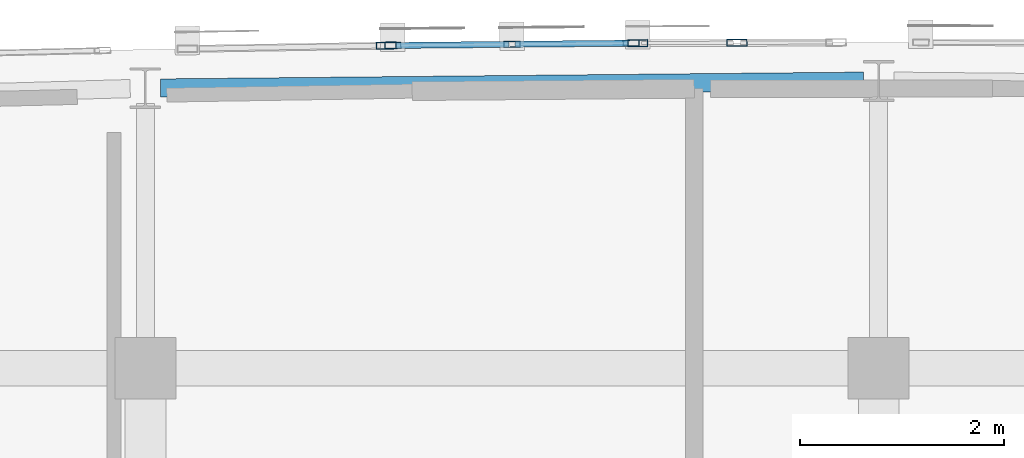
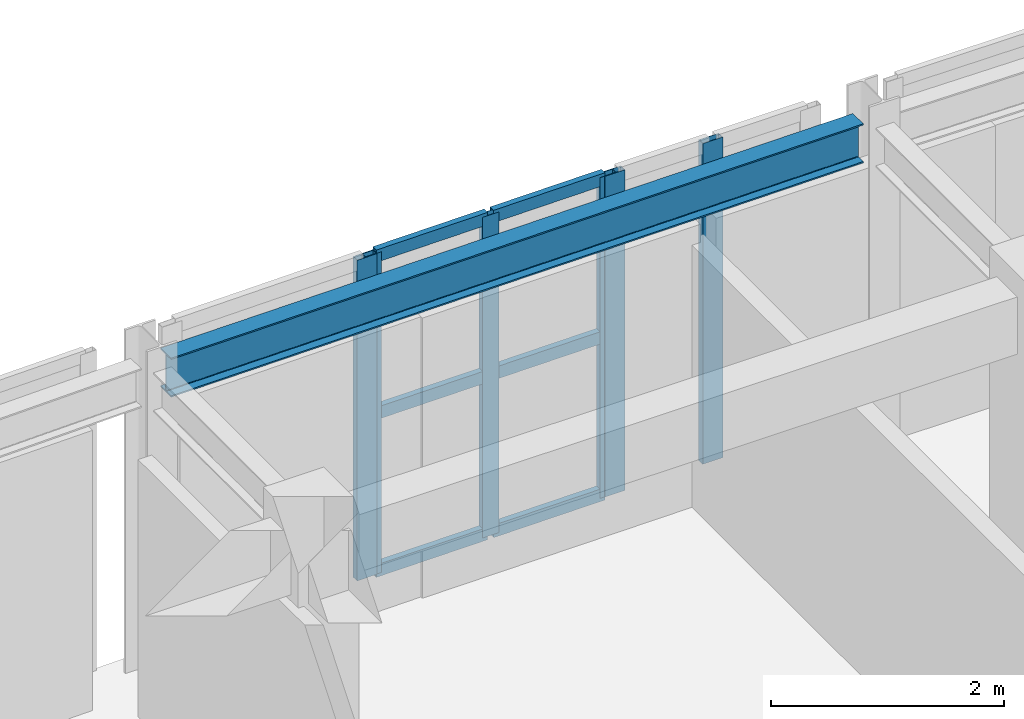
# One storey, part 16 of 51: 12 members, 1 beam, 3 elements without a shape of their own.
"""IFC4 building model written with IfcOpenShell, lengths in metres."""

import ifcopenshell
import ifcopenshell.guid

model = None  # the IFC model being written
_history = None  # IfcOwnerHistory: only IFC2X3 demands one
_inside = {}  # id of a spatial element -> (the spatial element, [elements in it])
_under = {}  # id of a project, library or spatial element -> (it, [spatial elements below it])
_declared = {}  # id of a project -> (the project, [libraries it declares])
_typed = {}  # id of a type object -> (the type object, [elements of that type])
_made_of = {}  # id of a material, layer set ... -> (it, [elements and type objects made of it])


def new_model(schema):
    """Start an empty IFC model of exactly this schema.

    Asked for "IFC4X3", IfcOpenShell would pick the latest addendum, in which some entities
    have other attributes; the version numbers below select the first issue.
    IFC2X3 requires an IfcOwnerHistory on every rooted entity: one is made here for all.
    """
    global model, _history
    if schema == "IFC4X3":
        model = ifcopenshell.file(schema_version=(4, 3, 0, 0))
    else:
        model = ifcopenshell.file(schema=schema)
    _inside.clear()
    _under.clear()
    _declared.clear()
    _typed.clear()
    _made_of.clear()
    _history = None
    if model.schema == "IFC2X3":
        org = make("IfcOrganization", Name="unknown")
        user = make(
            "IfcPersonAndOrganization",
            ThePerson=make("IfcPerson", FamilyName="unknown"),
            TheOrganization=org,
        )
        app = make(
            "IfcApplication",
            ApplicationDeveloper=org,
            Version="unknown",
            ApplicationFullName="unknown",
            ApplicationIdentifier="unknown",
        )
        _history = make(
            "IfcOwnerHistory",
            OwningUser=user,
            OwningApplication=app,
            ChangeAction="ADDED",
            CreationDate=0,
        )
    return model


def make(cls, **values):
    """One entity of the class cls with the attributes given. An attribute that is None is left unset."""
    return model.create_entity(
        cls, **{name: value for name, value in values.items() if value is not None}
    )


def rooted(cls, **values):
    """An entity with a GlobalId (a new one), such as an element, a storey or a relation."""
    return make(cls, GlobalId=ifcopenshell.guid.new(), OwnerHistory=_history, **values)


def si_unit(unit_type, name, prefix=None):
    """IfcSIUnit, for example si_unit("LENGTHUNIT", "METRE", prefix="MILLI")."""
    return make("IfcSIUnit", UnitType=unit_type, Prefix=prefix, Name=name)


def assignment(units):
    """IfcUnitAssignment: the units of a project."""
    return None if units is None else make("IfcUnitAssignment", Units=units)


def point(xyz):
    """IfcCartesianPoint."""
    return None if xyz is None else make("IfcCartesianPoint", Coordinates=xyz)


def direction(xyz):
    """IfcDirection."""
    return None if xyz is None else make("IfcDirection", DirectionRatios=xyz)


def frame(location, z_axis=None, x_axis=None):
    """IfcAxis2Placement3D, a coordinate frame: its origin and axes. An axis left out is left unset."""
    return make(
        "IfcAxis2Placement3D",
        Location=point(location),
        Axis=direction(z_axis),
        RefDirection=direction(x_axis),
    )


def frame_2d(location, x_axis=None):
    """IfcAxis2Placement2D, a coordinate frame in the plane: its origin and x axis."""
    return make(
        "IfcAxis2Placement2D", Location=point(location), RefDirection=direction(x_axis)
    )


def origin():
    """The frame at (0, 0, 0) with its axes left unset."""
    return frame((0.0, 0.0, 0.0))


def origin_2d():
    """The frame at (0, 0) in the plane with its x axis left unset."""
    return frame_2d((0.0, 0.0))


def place(relative_to, where):
    """IfcLocalPlacement: puts the frame where relative to a parent placement (None: the world)."""
    return make(
        "IfcLocalPlacement", PlacementRelTo=relative_to, RelativePlacement=where
    )


def context(
    kind, dimensions, precision=None, world=None, true_north=None, identifier=None
):
    """IfcGeometricRepresentationContext, for example the 3D "Model" context."""
    return make(
        "IfcGeometricRepresentationContext",
        ContextIdentifier=identifier,
        ContextType=kind,
        CoordinateSpaceDimension=dimensions,
        Precision=precision,
        WorldCoordinateSystem=world,
        TrueNorth=true_north,
    )


def subcontext(parent, identifier, kind, view, scale=None):
    """IfcGeometricRepresentationSubContext, for example "Body" below "Model"."""
    return make(
        "IfcGeometricRepresentationSubContext",
        ContextIdentifier=identifier,
        ContextType=kind,
        ParentContext=parent,
        TargetScale=scale,
        TargetView=view,
    )


def project(units=None, contexts=None):
    """IfcProject with its units and contexts."""
    return rooted(
        "IfcProject",
        Name="project",
        RepresentationContexts=contexts,
        UnitsInContext=assignment(units),
    )


def spatial(cls, under=None, at=None, **own):
    """A site, building, storey or space (cls), placed at a placement, below another one or the project."""
    s = rooted(cls, ObjectPlacement=at, **own)
    if under is not None:
        _under.setdefault(under.id(), (under, []))[1].append(s)
    return s


def profile(cls, at=None, kind="AREA", **sizes):
    """A parametric profile (cls). Its sizes go by their IFC names, for example OverallWidth=200.0."""
    return make(cls, ProfileType=kind, Position=at, **sizes)


def hollow_rectangle(**sizes):
    """IfcRectangleHollowProfileDef."""
    return profile("IfcRectangleHollowProfileDef", **sizes)


def i_section(**sizes):
    """IfcIShapeProfileDef."""
    return profile("IfcIShapeProfileDef", **sizes)


def extrude(swept, where, along, depth):
    """IfcExtrudedAreaSolid: the profile swept, set in the frame where, extruded along a direction by depth."""
    return make(
        "IfcExtrudedAreaSolid",
        SweptArea=swept,
        Position=where,
        ExtrudedDirection=direction(along),
        Depth=depth,
    )


def shape(context_of_items, identifier, shape_type, items):
    """IfcShapeRepresentation: the items that make up one representation, for example the "Body"."""
    return make(
        "IfcShapeRepresentation",
        ContextOfItems=context_of_items,
        RepresentationIdentifier=identifier,
        RepresentationType=shape_type,
        Items=items,
    )


def material(Name=None, Category=None):
    """IfcMaterial."""
    return make("IfcMaterial", Name=Name, Category=Category)


def layer(
    of_material, thickness, ventilated=None, Name=None, Category=None, Priority=None
):
    """IfcMaterialLayer: one layer of a wall or slab, of a material (None: an air gap)."""
    return make(
        "IfcMaterialLayer",
        Material=of_material,
        LayerThickness=thickness,
        IsVentilated=ventilated,
        Name=Name,
        Category=Category,
        Priority=Priority,
    )


def layer_set(layers, Name=None):
    """IfcMaterialLayerSet."""
    return make("IfcMaterialLayerSet", MaterialLayers=layers, LayerSetName=Name)


def material_profile(
    of_material, cross_section, Name=None, Category=None, Priority=None
):
    """IfcMaterialProfile: a cross section and its material."""
    return make(
        "IfcMaterialProfile",
        Name=Name,
        Material=of_material,
        Profile=cross_section,
        Priority=Priority,
        Category=Category,
    )


def profile_set(profiles, Name=None, composite=None):
    """IfcMaterialProfileSet."""
    return make(
        "IfcMaterialProfileSet",
        Name=Name,
        MaterialProfiles=profiles,
        CompositeProfile=composite,
    )


def made_of(thing, what):
    """Note that an element or type object is made of a material, layer set ...; save() writes the relation."""
    if what is not None:
        _made_of.setdefault(what.id(), (what, []))[1].append(thing)
    return thing


def type_object(cls, material=None, **own):
    """A type object (cls), such as IfcWallType, which elements share."""
    return made_of(rooted(cls, **own), material)


def element(
    cls,
    number,
    at=None,
    inside=None,
    cuts=None,
    type_object=None,
    material=None,
    context=None,
    identifier="Body",
    shape_type=None,
    held_by="IfcProductDefinitionShape",
    body=None,
    shapes=None,
    **own,
):
    """One element of the class cls, such as IfcWall. Its Tag is "e" and its number.

    at: its placement. inside: the storey or other place that contains it. cuts: it is an
    opening in that element (IfcRelVoidsElement). A single representation is given by context,
    identifier, shape_type and body (its items); several are given by shapes. held_by: the class
    of the entity that holds the representations. save() writes the other relations.
    """
    e = rooted(cls, Tag="e%d" % number, ObjectPlacement=at, **own)
    if body is not None:
        shapes = [shape(context, identifier, shape_type, body)]
    if shapes is not None:
        e.Representation = make(held_by, Representations=shapes)
    if inside is not None:
        _inside.setdefault(inside.id(), (inside, []))[1].append(e)
    if cuts is not None:
        rooted(
            "IfcRelVoidsElement", RelatingBuildingElement=cuts, RelatedOpeningElement=e
        )
    if type_object is not None:
        _typed.setdefault(type_object.id(), (type_object, []))[1].append(e)
    return made_of(e, material)


def aggregate(whole, parts):
    """IfcRelAggregates: a whole, such as a stair, and the parts it consists of."""
    return rooted("IfcRelAggregates", RelatingObject=whole, RelatedObjects=parts)


def save(model, path):
    """Write the relations noted so far, then the file.

    IfcRelAggregates (storeys below a building ...), IfcRelContainedInSpatialStructure (elements
    in a storey), IfcRelDefinesByType, IfcRelAssociatesMaterial and IfcRelDeclares: one each for
    every whole, place, type object, material and project.
    """
    for whole, parts in _under.values():
        aggregate(whole, parts)
    for where, things in _inside.values():
        rooted(
            "IfcRelContainedInSpatialStructure",
            RelatedElements=things,
            RelatingStructure=where,
        )
    for kind, things in _typed.values():
        rooted("IfcRelDefinesByType", RelatedObjects=things, RelatingType=kind)
    for what, things in _made_of.values():
        rooted("IfcRelAssociatesMaterial", RelatedObjects=things, RelatingMaterial=what)
    for by, libraries in _declared.values():
        rooted("IfcRelDeclares", RelatingContext=by, RelatedDefinitions=libraries)
    model.write(path)


model = new_model("IFC4")

# Units and contexts
model_context = context("Model", 3, precision=1e-05, world=origin(), true_north=direction((0.0, 1.0)))
body_context = subcontext(model_context, "Body", "Model", "MODEL_VIEW")
ifc_project = project(units=[si_unit("LENGTHUNIT", "METRE"), si_unit("AREAUNIT", "SQUARE_METRE"), si_unit("VOLUMEUNIT", "CUBIC_METRE"), si_unit("PLANEANGLEUNIT", "RADIAN"), si_unit("MASSUNIT", "GRAM", prefix="KILO")], contexts=[model_context])

# Site, building, storey
site_placement = place(None, origin())
site = spatial("IfcSite", under=ifc_project, at=site_placement, CompositionType="ELEMENT")
building_placement = place(site_placement, origin())
building = spatial("IfcBuilding", under=site, at=building_placement, Name="Carrowvane Square Congress Hotel", CompositionType="ELEMENT")
storey_placement = place(building_placement, frame((0.0, 0.0, 30.0)))
storey = spatial("IfcBuildingStorey", under=building, at=storey_placement, Name="L07", CompositionType="ELEMENT", Elevation=30.0)

# Beam
ifc_material_1 = material(Name="Steel S355", Category="steel")
ifc_material_profile_1 = material_profile(ifc_material_1, i_section(OverallWidth=0.1787109375, OverallDepth=0.409423828125, WebThickness=0.0087890625, FlangeThickness=0.014404296875, FilletRadius=0.01025390625, at=origin_2d()), Name="UKB 406x178x67")
ifc_profile_set_1 = profile_set([ifc_material_profile_1], Name="Steel S355")
beam_type = type_object("IfcBeamType", Name="BM-ST-UKB406", PredefinedType="BEAM", material=ifc_profile_set_1)
beam_placement = place(storey_placement, frame((90.949951171875, 116.1513671875, 3.1552734375), z_axis=(0.999952666563, 0.00972957518, 0.0), x_axis=(-0.00972957518, 0.999952666563, 0.0)))
element("IfcBeam", 1, at=beam_placement, inside=storey, type_object=beam_type, Name="L08 curved north spandrel", PredefinedType="BEAM", context=body_context, shape_type="SweptSolid", body=[
    extrude(i_section(OverallWidth=0.1787109375, OverallDepth=0.409423828125, WebThickness=0.0087890625, FlangeThickness=0.014404296875, FilletRadius=0.01025390625, at=origin_2d()), origin(), (0.0, 0.0, 1.0), 6.900390625),
])

# Curtain wall, members
ifc_material_2 = material(Name="Anodised aluminium", Category="aluminium")
ifc_layer_1 = layer(ifc_material_2, 0.23388671875)
ifc_layer_set_1 = layer_set([ifc_layer_1], Name="Anodised aluminium")
curtain_wall_type_1 = type_object("IfcCurtainWallType", Name="CW-SYS-7", PredefinedType="NOTDEFINED", material=ifc_layer_set_1)
curtain_wall_1_placement = place(storey_placement, origin())
curtain_wall_1 = element("IfcCurtainWall", 2, at=curtain_wall_1_placement, inside=storey, type_object=curtain_wall_type_1, Name="L07 unitised curtain wall 430", PredefinedType="NOTDEFINED")
ifc_material_3 = material(Name="Anodised aluminium", Category="aluminium")
ifc_material_profile_2 = material_profile(ifc_material_3, hollow_rectangle(XDim=0.06005859375, YDim=0.159912109375, WallThickness=0.00390625, at=origin_2d()), Name="CW-ML 60x160x4")
ifc_profile_set_2 = profile_set([ifc_material_profile_2], Name="Anodised aluminium")
member_type_1 = type_object("IfcMemberType", Name="CW-MUL-1", PredefinedType="MULLION", material=ifc_profile_set_2)
member_1_placement = place(storey_placement, frame((93.22998046875, 116.56884765625, 0.0), z_axis=(0.0, 0.0, 1.0), x_axis=(-0.009782905924, 0.999952146231, 0.0)))
member_1 = element("IfcMember", 3, at=member_1_placement, type_object=member_type_1, Name="CW-7 mullion 1", PredefinedType="MULLION", context=body_context, shape_type="SweptSolid", body=[
    extrude(hollow_rectangle(XDim=0.06005859375, YDim=0.159912109375, WallThickness=0.00390625, at=origin_2d()), origin(), (0.0, 0.0, 1.0), 3.360107421875),
])
member_2_placement = place(storey_placement, frame((94.39990234375, 116.580322265625, 0.0), z_axis=(0.0, 0.0, 1.0), x_axis=(-0.009782905924, 0.999952146231, 0.0)))
member_2 = element("IfcMember", 4, at=member_2_placement, type_object=member_type_1, Name="CW-7 mullion 2", PredefinedType="MULLION", context=body_context, shape_type="SweptSolid", body=[
    extrude(hollow_rectangle(XDim=0.06005859375, YDim=0.159912109375, WallThickness=0.00390625, at=origin_2d()), origin(), (0.0, 0.0, 1.0), 3.360107421875),
])
member_3_placement = place(storey_placement, frame((95.570068359375, 116.591796875, 0.0), z_axis=(0.0, 0.0, 1.0), x_axis=(-0.009782905924, 0.999952146231, 0.0)))
member_3 = element("IfcMember", 5, at=member_3_placement, type_object=member_type_1, Name="CW-7 mullion 3", PredefinedType="MULLION", context=body_context, shape_type="SweptSolid", body=[
    extrude(hollow_rectangle(XDim=0.06005859375, YDim=0.159912109375, WallThickness=0.00390625, at=origin_2d()), origin(), (0.0, 0.0, 1.0), 3.360107421875),
])

# Curtain wall, member
ifc_material_4 = material(Name="Anodised aluminium", Category="aluminium")
ifc_layer_2 = layer(ifc_material_4, 0.221923828125)
ifc_layer_set_2 = layer_set([ifc_layer_2], Name="Anodised aluminium")
curtain_wall_type_2 = type_object("IfcCurtainWallType", Name="CW-SYS-6", PredefinedType="NOTDEFINED", material=ifc_layer_set_2)
curtain_wall_2_placement = place(storey_placement, origin())
curtain_wall_2 = element("IfcCurtainWall", 6, at=curtain_wall_2_placement, inside=storey, type_object=curtain_wall_type_2, Name="L07 unitised curtain wall 429", PredefinedType="NOTDEFINED")
ifc_material_5 = material(Name="Anodised aluminium", Category="aluminium")
ifc_material_profile_3 = material_profile(ifc_material_5, hollow_rectangle(XDim=0.070068359375, YDim=0.199951171875, WallThickness=0.0048828125, at=origin_2d()), Name="CW-ML 70x200x5")
ifc_profile_set_3 = profile_set([ifc_material_profile_3], Name="Anodised aluminium")
member_type_2 = type_object("IfcMemberType", Name="CW-MUL-2", PredefinedType="MULLION", material=ifc_profile_set_3)
member_4_placement = place(storey_placement, frame((93.1650390625, 116.568115234375, 0.0), z_axis=(0.0, 0.0, 1.0), x_axis=(-0.016215981364, 0.99986851233, 0.0)))
member_4 = element("IfcMember", 7, at=member_4_placement, type_object=member_type_2, Name="CW-6 mullion 2", PredefinedType="MULLION", context=body_context, shape_type="SweptSolid", body=[
    extrude(hollow_rectangle(XDim=0.070068359375, YDim=0.199951171875, WallThickness=0.0048828125, at=origin_2d()), origin(), (0.0, 0.0, 1.0), 3.360107421875),
])
aggregate(curtain_wall_2, [member_4])

# Curtain wall, members
ifc_material_6 = material(Name="Anodised aluminium", Category="aluminium")
ifc_layer_3 = layer(ifc_material_6, 0.24609375)
ifc_layer_set_3 = layer_set([ifc_layer_3], Name="Anodised aluminium")
curtain_wall_type_3 = type_object("IfcCurtainWallType", Name="CW-SYS-8", PredefinedType="NOTDEFINED", material=ifc_layer_set_3)
curtain_wall_3_placement = place(storey_placement, origin())
curtain_wall_3 = element("IfcCurtainWall", 8, at=curtain_wall_3_placement, inside=storey, type_object=curtain_wall_type_3, Name="L07 unitised curtain wall 431", PredefinedType="NOTDEFINED")
member_5_placement = place(storey_placement, frame((95.635009765625, 116.59228515625, 0.0), z_axis=(0.0, 0.0, 1.0), x_axis=(-0.003270307911, 0.999994652529, 0.0)))
member_5 = element("IfcMember", 9, at=member_5_placement, type_object=member_type_2, Name="CW-8 mullion 1", PredefinedType="MULLION", context=body_context, shape_type="SweptSolid", body=[
    extrude(hollow_rectangle(XDim=0.070068359375, YDim=0.199951171875, WallThickness=0.0048828125, at=origin_2d()), origin(), (0.0, 0.0, 1.0), 3.360107421875),
])
member_6_placement = place(storey_placement, frame((96.607666015625, 116.595458984375, 0.0), z_axis=(0.0, 0.0, 1.0), x_axis=(-0.003270307911, 0.999994652529, 0.0)))
member_6 = element("IfcMember", 10, at=member_6_placement, type_object=member_type_2, Name="CW-8 mullion 2", PredefinedType="MULLION", context=body_context, shape_type="SweptSolid", body=[
    extrude(hollow_rectangle(XDim=0.070068359375, YDim=0.199951171875, WallThickness=0.0048828125, at=origin_2d()), origin(), (0.0, 0.0, 1.0), 3.360107421875),
])
aggregate(curtain_wall_3, [member_5, member_6])

# Member
ifc_material_7 = material(Name="Anodised aluminium", Category="aluminium")
ifc_material_profile_4 = material_profile(ifc_material_7, hollow_rectangle(XDim=0.06005859375, YDim=0.1298828125, WallThickness=0.00390625, at=origin_2d()), Name="CW-TR 60x130x4")
ifc_profile_set_4 = profile_set([ifc_material_profile_4], Name="Anodised aluminium")
member_type_3 = type_object("IfcMemberType", Name="CW-TRN-1", PredefinedType="USERDEFINED", material=ifc_profile_set_4)
member_7_placement = place(storey_placement, frame((93.260009765625, 116.5693359375, 0.030029296875), z_axis=(0.99995318393, 0.009676256893, 0.0), x_axis=(-0.009676256893, 0.99995318393, 0.0)))
member_7 = element("IfcMember", 11, at=member_7_placement, type_object=member_type_3, Name="CW-7 transom 1.1", ObjectType="TRANSOM", PredefinedType="USERDEFINED", context=body_context, shape_type="SweptSolid", body=[
    extrude(hollow_rectangle(XDim=0.06005859375, YDim=0.1298828125, WallThickness=0.00390625, at=origin_2d()), origin(), (0.0, 0.0, 1.0), 1.110107421875),
])

member_8_placement = place(storey_placement, frame((93.260009765625, 116.5693359375, 1.679931640625), z_axis=(0.99995318393, 0.009676256893, 0.0), x_axis=(-0.009676256893, 0.99995318393, 0.0)))
member_8 = element("IfcMember", 12, at=member_8_placement, type_object=member_type_3, Name="CW-7 transom 1.2", ObjectType="TRANSOM", PredefinedType="USERDEFINED", context=body_context, shape_type="SweptSolid", body=[
    extrude(hollow_rectangle(XDim=0.06005859375, YDim=0.1298828125, WallThickness=0.00390625, at=origin_2d()), origin(), (0.0, 0.0, 1.0), 1.110107421875),
])

member_9_placement = place(storey_placement, frame((93.260009765625, 116.5693359375, 3.330078125), z_axis=(0.99995318393, 0.009676256893, 0.0), x_axis=(-0.009676256893, 0.99995318393, 0.0)))
member_9 = element("IfcMember", 13, at=member_9_placement, type_object=member_type_3, Name="CW-7 transom 1.3", ObjectType="TRANSOM", PredefinedType="USERDEFINED", context=body_context, shape_type="SweptSolid", body=[
    extrude(hollow_rectangle(XDim=0.06005859375, YDim=0.1298828125, WallThickness=0.00390625, at=origin_2d()), origin(), (0.0, 0.0, 1.0), 1.110107421875),
])

member_10_placement = place(storey_placement, frame((94.429931640625, 116.580810546875, 0.030029296875), z_axis=(0.99995318393, 0.009676256893, 0.0), x_axis=(-0.009676256893, 0.99995318393, 0.0)))
member_10 = element("IfcMember", 14, at=member_10_placement, type_object=member_type_3, Name="CW-7 transom 2.1", ObjectType="TRANSOM", PredefinedType="USERDEFINED", context=body_context, shape_type="SweptSolid", body=[
    extrude(hollow_rectangle(XDim=0.06005859375, YDim=0.1298828125, WallThickness=0.00390625, at=origin_2d()), origin(), (0.0, 0.0, 1.0), 1.110107421875),
])

member_11_placement = place(storey_placement, frame((94.429931640625, 116.580810546875, 1.679931640625), z_axis=(0.99995318393, 0.009676256893, 0.0), x_axis=(-0.009676256893, 0.99995318393, 0.0)))
member_11 = element("IfcMember", 15, at=member_11_placement, type_object=member_type_3, Name="CW-7 transom 2.2", ObjectType="TRANSOM", PredefinedType="USERDEFINED", context=body_context, shape_type="SweptSolid", body=[
    extrude(hollow_rectangle(XDim=0.06005859375, YDim=0.1298828125, WallThickness=0.00390625, at=origin_2d()), origin(), (0.0, 0.0, 1.0), 1.110107421875),
])

member_12_placement = place(storey_placement, frame((94.429931640625, 116.580810546875, 3.330078125), z_axis=(0.99995318393, 0.009676256893, 0.0), x_axis=(-0.009676256893, 0.99995318393, 0.0)))
member_12 = element("IfcMember", 16, at=member_12_placement, type_object=member_type_3, Name="CW-7 transom 2.3", ObjectType="TRANSOM", PredefinedType="USERDEFINED", context=body_context, shape_type="SweptSolid", body=[
    extrude(hollow_rectangle(XDim=0.06005859375, YDim=0.1298828125, WallThickness=0.00390625, at=origin_2d()), origin(), (0.0, 0.0, 1.0), 1.110107421875),
])

aggregate(curtain_wall_1, [member_1, member_2, member_3, member_7, member_8, member_9, member_10, member_11, member_12])

save(model, "model.ifc")
